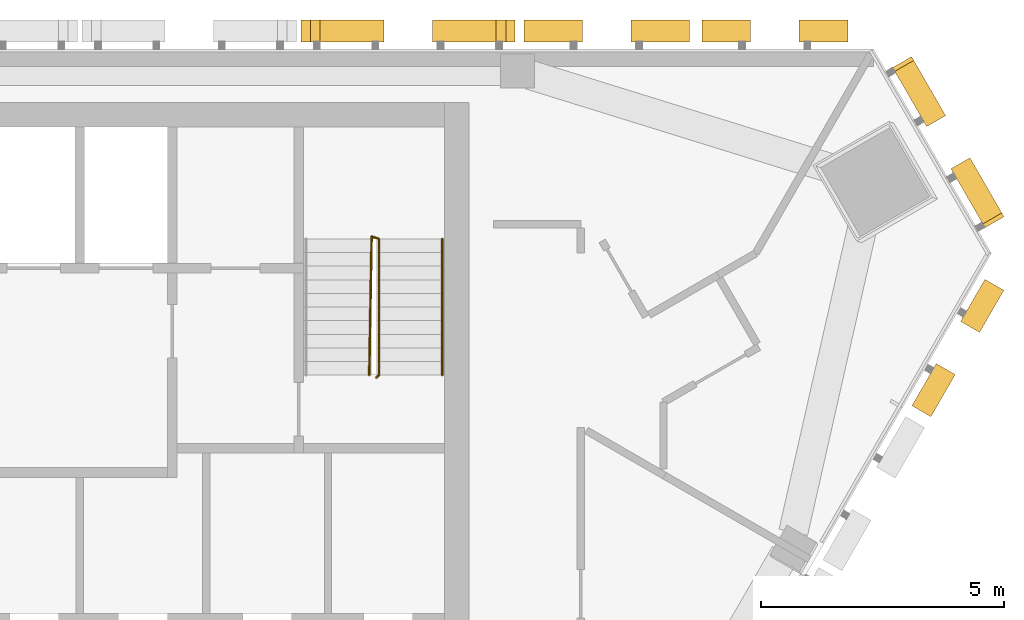
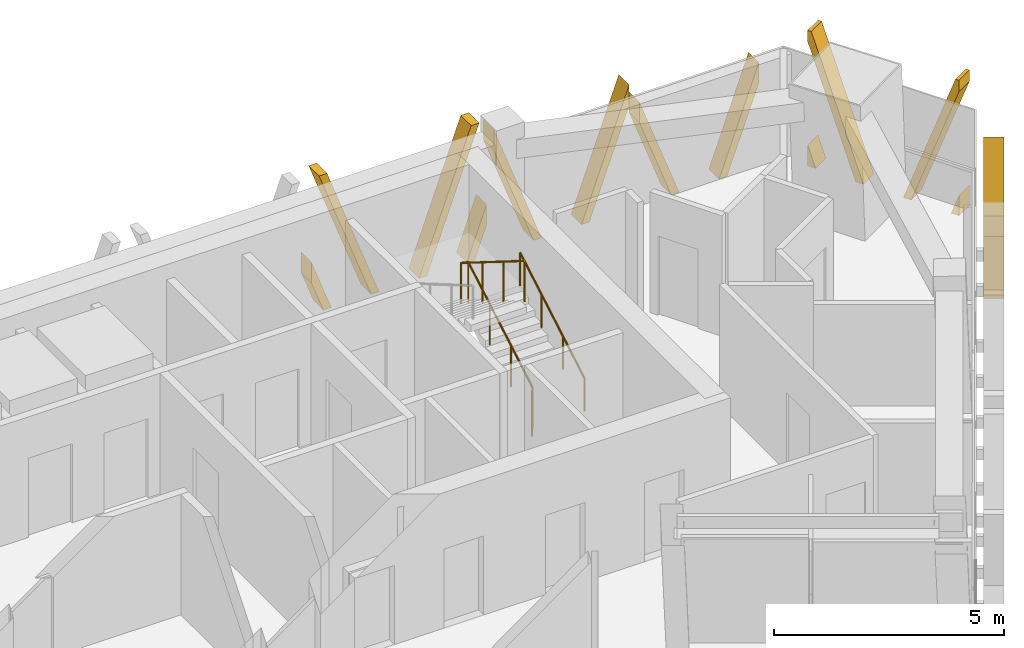
# One storey, part 13 of 14: 5 shading devices, 2 railings.
"""IFC4 building model written with IfcOpenShell, lengths in metres."""

from ifc_helpers import new_model, si_unit, direction, frame, origin, origin_2d, place, context, subcontext, project, spatial, polyline, circle, outline, extrude, source, transform, mapped, material, type_object, element, save


model = new_model("IFC4")

# Units and contexts
model_context = context("Model", 3, precision=1e-05, world=origin(), true_north=direction((0.0, 1.0)))
body_context = subcontext(model_context, "Body", "Model", "MODEL_VIEW")
ifc_project = project(units=[si_unit("LENGTHUNIT", "METRE"), si_unit("AREAUNIT", "SQUARE_METRE"), si_unit("VOLUMEUNIT", "CUBIC_METRE"), si_unit("PLANEANGLEUNIT", "RADIAN"), si_unit("MASSUNIT", "GRAM", prefix="KILO")], contexts=[model_context])

# Site, building, storey
site_placement = place(None, origin())
site = spatial("IfcSite", under=ifc_project, at=site_placement, CompositionType="ELEMENT")
building_placement = place(site_placement, origin())
building = spatial("IfcBuilding", under=site, at=building_placement, Name="Altiplano Prism Tower", CompositionType="ELEMENT")
storey_placement = place(building_placement, frame((0.0, 0.0, 268.0)))
storey = spatial("IfcBuildingStorey", under=building, at=storey_placement, Name="L69", CompositionType="ELEMENT", Elevation=268.0)

# Railings
ifc_material_1 = material(Name="Steel S355", Category="steel")
railing_type_1 = type_object("IfcRailingType", Name="Stair guard 1100", PredefinedType="GUARDRAIL", material=ifc_material_1)
railing_1_placement = place(storey_placement, frame((95.60009765625, 98.25, 0.0)))
element("IfcRailing", 1, at=railing_1_placement, inside=storey, type_object=railing_type_1, Name="L69 ST2 stair guard 1", PredefinedType="GUARDRAIL", context=body_context, shape_type="SweptSolid", body=[
    extrude(circle(Radius=0.02392578125, at=origin_2d()), frame((0.0, 0.0, 1.076171875), z_axis=(0.279546231943, 0.280916556609, 0.91811752648), x_axis=(-0.708833529934, 0.705375805398, 0.0)), (0.0, 0.0, 1.0), 0.17822265625),
    extrude(circle(Radius=0.02392578125, at=origin_2d()), frame((0.0498046875, 0.050048828125, 1.23974609375), z_axis=(0.0, 0.863360870873, 0.504586966384), x_axis=(-1.0, 0.0, 0.0)), (0.0, 0.0, 1.0), 3.2431640625),
    extrude(circle(Radius=0.02392578125, at=origin_2d()), frame((0.0498046875, 2.85009765625, 2.8759765625), z_axis=(-0.948991962702, 0.315300261223, 0.0), x_axis=(-0.315300261223, -0.948991962702, 0.0)), (0.0, 0.0, 1.0), 0.157958984375),
    extrude(circle(Radius=0.02392578125, at=origin_2d()), frame((-0.10009765625, 2.89990234375, 2.8759765625), z_axis=(-0.014846418356, -0.845376787675, 0.533964109957), x_axis=(0.999845825584, -0.017559187376, 0.0)), (0.0, 0.0, 1.0), 3.37109375),
    extrude(circle(Radius=0.02099609375, at=origin_2d()), origin(), (0.0, 0.0, 1.0), 1.052001953125),
    extrude(circle(Radius=0.02099609375, at=origin_2d()), frame((0.0498046875, 0.050048828125, 0.16357421875)), (0.0, 0.0, 1.0), 1.052001953125),
    extrude(circle(Radius=0.02099609375, at=origin_2d()), frame((0.0498046875, 0.9833984375, 0.708984375)), (0.0, 0.0, 1.0), 1.052001953125),
    extrude(circle(Radius=0.02099609375, at=origin_2d()), frame((0.0498046875, 1.916748046875, 1.254638671875)), (0.0, 0.0, 1.0), 1.052001953125),
    extrude(circle(Radius=0.02099609375, at=origin_2d()), frame((0.0498046875, 2.85009765625, 1.800048828125)), (0.0, 0.0, 1.0), 1.052001953125),
    extrude(circle(Radius=0.02099609375, at=origin_2d()), frame((-0.10009765625, 2.89990234375, 1.800048828125)), (0.0, 0.0, 1.0), 1.052001953125),
    extrude(circle(Radius=0.02099609375, at=origin_2d()), frame((-0.11669921875, 1.949951171875, 2.400146484375)), (0.0, 0.0, 1.0), 1.052001953125),
    extrude(circle(Radius=0.02099609375, at=origin_2d()), frame((-0.133544921875, 1.0, 3.0)), (0.0, 0.0, 1.0), 1.052001953125),
    extrude(circle(Radius=0.02099609375, at=origin_2d()), frame((-0.150146484375, 0.050048828125, 3.60009765625)), (0.0, 0.0, 1.0), 1.052001953125),
])
railing_type_2 = type_object("IfcRailingType", Name="Stair handrail 900", PredefinedType="HANDRAIL", material=ifc_material_1)
railing_2_placement = place(storey_placement, frame((96.949951171875, 98.300048828125, 0.16357421875)))
element("IfcRailing", 2, at=railing_2_placement, inside=storey, type_object=railing_type_2, Name="L69 ST2 stair handrail 1", PredefinedType="HANDRAIL", context=body_context, shape_type="SweptSolid", body=[
    extrude(circle(Radius=0.02392578125, at=origin_2d()), frame((0.0, 0.0, 0.8759765625), z_axis=(0.0, 0.863360870873, 0.504586966384), x_axis=(-1.0, 0.0, 0.0)), (0.0, 0.0, 1.0), 3.2431640625),
    extrude(circle(Radius=0.02099609375, at=origin_2d()), origin(), (0.0, 0.0, 1.0), 0.851806640625),
    extrude(circle(Radius=0.02099609375, at=origin_2d()), frame((0.0, 0.933349609375, 0.54541015625)), (0.0, 0.0, 1.0), 0.851806640625),
    extrude(circle(Radius=0.02099609375, at=origin_2d()), frame((0.0, 1.86669921875, 1.091064453125)), (0.0, 0.0, 1.0), 0.851806640625),
    extrude(circle(Radius=0.02099609375, at=origin_2d()), frame((0.0, 2.800048828125, 1.636474609375)), (0.0, 0.0, 1.0), 0.851806640625),
])

# Shading devices
ifc_material_2 = material(Name="Warm limestone cast stone", Category="masonry")
shading_device_type_1 = type_object("IfcShadingDeviceType", Name="Stone fin panel, standard unit", PredefinedType="USERDEFINED", material=ifc_material_2)
shared_shape_1 = source(origin(), body_context, "Body", "SweptSolid", [
    extrude(outline(polyline([(-2.199951171875, 1.373779296875), (-2.199951171875, 0.82421875), (-1.89990234375, 0.0), (-1.699951171875, 0.0), (-2.199951171875, 1.373779296875)])), frame((0.0, -0.14990234375, 0.0), z_axis=(0.0, -1.0, 0.0), x_axis=(1.0, 0.0, 0.0)), (0.0, 0.0, 1.0), 0.4501953125),
    extrude(outline(polyline([(-2.01025390625, 3.60009765625), (-0.699951171875, 0.0), (-0.5, 0.0), (-1.810302734375, 3.60009765625), (-2.01025390625, 3.60009765625)])), frame((0.0, -0.14990234375, 0.0), z_axis=(0.0, -1.0, 0.0), x_axis=(1.0, 0.0, 0.0)), (0.0, 0.0, 1.0), 0.4501953125),
    extrude(outline(polyline([(1.810302734375, 3.60009765625), (0.5, 0.0), (0.699951171875, 0.0), (2.01025390625, 3.60009765625), (1.810302734375, 3.60009765625)])), frame((0.0, -0.14990234375, 0.0), z_axis=(0.0, -1.0, 0.0), x_axis=(1.0, 0.0, 0.0)), (0.0, 0.0, 1.0), 0.4501953125),
    extrude(outline(polyline([(2.199951171875, 0.82421875), (2.199951171875, 1.373779296875), (1.699951171875, 0.0), (1.89990234375, 0.0), (2.199951171875, 0.82421875)])), frame((0.0, -0.14990234375, 0.0), z_axis=(0.0, -1.0, 0.0), x_axis=(1.0, 0.0, 0.0)), (0.0, 0.0, 1.0), 0.4501953125),
])
shading_device_1_placement = place(storey_placement, origin())
element("IfcShadingDevice", 3, at=shading_device_1_placement, inside=storey, type_object=shading_device_type_1, Name="Fin L69 north face 3", ObjectType="FIN", PredefinedType="USERDEFINED", context=body_context, shape_type="MappedRepresentation", body=[
    mapped(shared_shape_1, transform((96.25, 105.0, -0.39990234375), x_axis=(-1.0, 0.0, 0.0), y_axis=(0.0, -1.0, 0.0), z_axis=(0.0, 0.0, 1.0))),
])
shading_device_type_2 = type_object("IfcShadingDeviceType", Name="Stone fin panel, narrow closing bay", PredefinedType="USERDEFINED", material=ifc_material_2)
shared_shape_2 = source(origin(), body_context, "Body", "SweptSolid", [
    extrude(outline(polyline([(-1.699951171875, 3.297119140625), (-1.699951171875, 2.74755859375), (-0.699951171875, 0.0), (-0.5, 0.0), (-1.699951171875, 3.297119140625)])), frame((0.0, -0.14990234375, 0.0), z_axis=(0.0, -1.0, 0.0), x_axis=(1.0, 0.0, 0.0)), (0.0, 0.0, 1.0), 0.4501953125),
    extrude(outline(polyline([(1.699951171875, 2.74755859375), (1.699951171875, 3.297119140625), (0.5, 0.0), (0.699951171875, 0.0), (1.699951171875, 2.74755859375)])), frame((0.0, -0.14990234375, 0.0), z_axis=(0.0, -1.0, 0.0), x_axis=(1.0, 0.0, 0.0)), (0.0, 0.0, 1.0), 0.4501953125),
])
shading_device_2_placement = place(storey_placement, origin())
element("IfcShadingDevice", 4, at=shading_device_2_placement, inside=storey, type_object=shading_device_type_2, Name="Fin L69 north face 2", ObjectType="FIN", PredefinedType="USERDEFINED", context=body_context, shape_type="MappedRepresentation", body=[
    mapped(shared_shape_2, transform((100.3291015625, 105.0, -0.39990234375), x_axis=(-1.0, 0.0, 0.0), y_axis=(0.0, -1.0, 0.0), z_axis=(0.0, 0.0, 1.0))),
])
shading_device_type_3 = type_object("IfcShadingDeviceType", Name="Stone fin panel, chamfer unit", PredefinedType="USERDEFINED", material=ifc_material_2)
shared_shape_3 = source(origin(), body_context, "Body", "SweptSolid", [
    extrude(outline(polyline([(-1.89990234375, 3.60009765625), (-1.89990234375, 3.297119140625), (-0.699951171875, 0.0), (-0.5, 0.0), (-1.810302734375, 3.60009765625), (-1.89990234375, 3.60009765625)])), frame((0.0, -0.14990234375, 0.0), z_axis=(0.0, -1.0, 0.0), x_axis=(1.0, 0.0, 0.0)), (0.0, 0.0, 1.0), 0.4501953125),
    extrude(outline(polyline([(-1.89990234375, 0.549560546875), (-1.89990234375, 0.0), (-1.699951171875, 0.0), (-1.89990234375, 0.549560546875)])), frame((0.0, -0.14990234375, 0.0), z_axis=(0.0, -1.0, 0.0), x_axis=(1.0, 0.0, 0.0)), (0.0, 0.0, 1.0), 0.4501953125),
    extrude(outline(polyline([(1.810302734375, 3.60009765625), (0.5, 0.0), (0.699951171875, 0.0), (1.89990234375, 3.297119140625), (1.89990234375, 3.60009765625), (1.810302734375, 3.60009765625)])), frame((0.0, -0.14990234375, 0.0), z_axis=(0.0, -1.0, 0.0), x_axis=(1.0, 0.0, 0.0)), (0.0, 0.0, 1.0), 0.4501953125),
    extrude(outline(polyline([(1.89990234375, 0.0), (1.89990234375, 0.549560546875), (1.699951171875, 0.0), (1.89990234375, 0.0)])), frame((0.0, -0.14990234375, 0.0), z_axis=(0.0, -1.0, 0.0), x_axis=(1.0, 0.0, 0.0)), (0.0, 0.0, 1.0), 0.4501953125),
])
shading_device_3_placement = place(storey_placement, origin())
element("IfcShadingDevice", 5, at=shading_device_3_placement, inside=storey, type_object=shading_device_type_3, Name="Fin L69 north-east chamfer 1", ObjectType="FIN", PredefinedType="USERDEFINED", context=body_context, shape_type="MappedRepresentation", body=[
    mapped(shared_shape_3, transform((107.02783203125, 102.901123046875, -0.39990234375), x_axis=(-0.500000030951, 0.866025385915, 0.0), y_axis=(-0.866025385915, -0.500000030951, 0.0), z_axis=(0.0, 0.0, 1.0))),
])
shared_shape_4 = source(origin(), body_context, "Body", "SweptSolid", [
    extrude(outline(polyline([(-1.5, 2.74755859375), (-1.5, 2.197998046875), (-0.699951171875, 0.0), (-0.5, 0.0), (-1.5, 2.74755859375)])), frame((0.0, -0.14990234375, 0.0), z_axis=(0.0, -1.0, 0.0), x_axis=(1.0, 0.0, 0.0)), (0.0, 0.0, 1.0), 0.4501953125),
    extrude(outline(polyline([(1.5, 2.197998046875), (1.5, 2.74755859375), (0.5, 0.0), (0.699951171875, 0.0), (1.5, 2.197998046875)])), frame((0.0, -0.14990234375, 0.0), z_axis=(0.0, -1.0, 0.0), x_axis=(1.0, 0.0, 0.0)), (0.0, 0.0, 1.0), 0.4501953125),
])
shading_device_4_placement = place(storey_placement, origin())
element("IfcShadingDevice", 6, at=shading_device_4_placement, inside=storey, type_object=shading_device_type_2, Name="Fin L69 north face 1", ObjectType="FIN", PredefinedType="USERDEFINED", context=body_context, shape_type="MappedRepresentation", body=[
    mapped(shared_shape_4, transform((103.787109375, 105.0, -0.39990234375), x_axis=(-1.0, 0.0, 0.0), y_axis=(0.0, -1.0, 0.0), z_axis=(0.0, 0.0, 1.0))),
])
shading_device_5_placement = place(storey_placement, origin())
element("IfcShadingDevice", 7, at=shading_device_5_placement, inside=storey, type_object=shading_device_type_2, Name="Fin L69 south-east face 10", ObjectType="FIN", PredefinedType="USERDEFINED", context=body_context, shape_type="MappedRepresentation", body=[
    mapped(shared_shape_4, transform((107.22509765625, 99.044921875, -0.39990234375), x_axis=(0.499999992175, 0.866025408302, 0.0), y_axis=(-0.866025408302, 0.499999992175, 0.0), z_axis=(0.0, 0.0, 1.0))),
])

save(model, "model.ifc")
